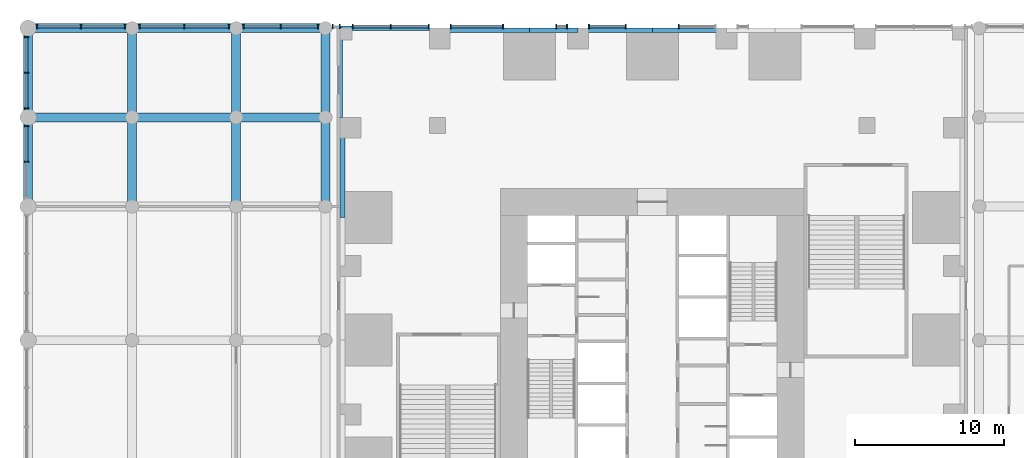
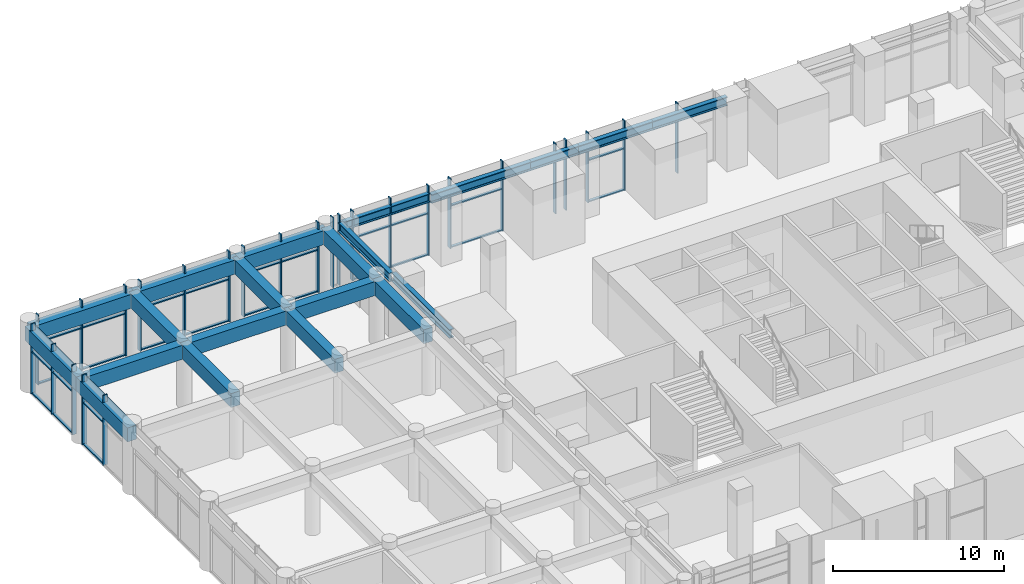
# One storey, part 5 of 23: 52 members, 21 beams, 11 elements without a shape of their own.
"""IFC4 building model written with IfcOpenShell, lengths in metres."""

import ifcopenshell
import ifcopenshell.guid

model = None  # the IFC model being written
_history = None  # IfcOwnerHistory: only IFC2X3 demands one
_inside = {}  # id of a spatial element -> (the spatial element, [elements in it])
_under = {}  # id of a project, library or spatial element -> (it, [spatial elements below it])
_declared = {}  # id of a project -> (the project, [libraries it declares])
_typed = {}  # id of a type object -> (the type object, [elements of that type])
_made_of = {}  # id of a material, layer set ... -> (it, [elements and type objects made of it])


def new_model(schema):
    """Start an empty IFC model of exactly this schema.

    Asked for "IFC4X3", IfcOpenShell would pick the latest addendum, in which some entities
    have other attributes; the version numbers below select the first issue.
    IFC2X3 requires an IfcOwnerHistory on every rooted entity: one is made here for all.
    """
    global model, _history
    if schema == "IFC4X3":
        model = ifcopenshell.file(schema_version=(4, 3, 0, 0))
    else:
        model = ifcopenshell.file(schema=schema)
    _inside.clear()
    _under.clear()
    _declared.clear()
    _typed.clear()
    _made_of.clear()
    _history = None
    if model.schema == "IFC2X3":
        org = make("IfcOrganization", Name="unknown")
        user = make(
            "IfcPersonAndOrganization",
            ThePerson=make("IfcPerson", FamilyName="unknown"),
            TheOrganization=org,
        )
        app = make(
            "IfcApplication",
            ApplicationDeveloper=org,
            Version="unknown",
            ApplicationFullName="unknown",
            ApplicationIdentifier="unknown",
        )
        _history = make(
            "IfcOwnerHistory",
            OwningUser=user,
            OwningApplication=app,
            ChangeAction="ADDED",
            CreationDate=0,
        )
    return model


def make(cls, **values):
    """One entity of the class cls with the attributes given. An attribute that is None is left unset."""
    return model.create_entity(
        cls, **{name: value for name, value in values.items() if value is not None}
    )


def rooted(cls, **values):
    """An entity with a GlobalId (a new one), such as an element, a storey or a relation."""
    return make(cls, GlobalId=ifcopenshell.guid.new(), OwnerHistory=_history, **values)


def si_unit(unit_type, name, prefix=None):
    """IfcSIUnit, for example si_unit("LENGTHUNIT", "METRE", prefix="MILLI")."""
    return make("IfcSIUnit", UnitType=unit_type, Prefix=prefix, Name=name)


def assignment(units):
    """IfcUnitAssignment: the units of a project."""
    return None if units is None else make("IfcUnitAssignment", Units=units)


def point(xyz):
    """IfcCartesianPoint."""
    return None if xyz is None else make("IfcCartesianPoint", Coordinates=xyz)


def direction(xyz):
    """IfcDirection."""
    return None if xyz is None else make("IfcDirection", DirectionRatios=xyz)


def frame(location, z_axis=None, x_axis=None):
    """IfcAxis2Placement3D, a coordinate frame: its origin and axes. An axis left out is left unset."""
    return make(
        "IfcAxis2Placement3D",
        Location=point(location),
        Axis=direction(z_axis),
        RefDirection=direction(x_axis),
    )


def frame_2d(location, x_axis=None):
    """IfcAxis2Placement2D, a coordinate frame in the plane: its origin and x axis."""
    return make(
        "IfcAxis2Placement2D", Location=point(location), RefDirection=direction(x_axis)
    )


def origin():
    """The frame at (0, 0, 0) with its axes left unset."""
    return frame((0.0, 0.0, 0.0))


def origin_2d():
    """The frame at (0, 0) in the plane with its x axis left unset."""
    return frame_2d((0.0, 0.0))


def place(relative_to, where):
    """IfcLocalPlacement: puts the frame where relative to a parent placement (None: the world)."""
    return make(
        "IfcLocalPlacement", PlacementRelTo=relative_to, RelativePlacement=where
    )


def context(
    kind, dimensions, precision=None, world=None, true_north=None, identifier=None
):
    """IfcGeometricRepresentationContext, for example the 3D "Model" context."""
    return make(
        "IfcGeometricRepresentationContext",
        ContextIdentifier=identifier,
        ContextType=kind,
        CoordinateSpaceDimension=dimensions,
        Precision=precision,
        WorldCoordinateSystem=world,
        TrueNorth=true_north,
    )


def subcontext(parent, identifier, kind, view, scale=None):
    """IfcGeometricRepresentationSubContext, for example "Body" below "Model"."""
    return make(
        "IfcGeometricRepresentationSubContext",
        ContextIdentifier=identifier,
        ContextType=kind,
        ParentContext=parent,
        TargetScale=scale,
        TargetView=view,
    )


def project(units=None, contexts=None):
    """IfcProject with its units and contexts."""
    return rooted(
        "IfcProject",
        Name="project",
        RepresentationContexts=contexts,
        UnitsInContext=assignment(units),
    )


def spatial(cls, under=None, at=None, **own):
    """A site, building, storey or space (cls), placed at a placement, below another one or the project."""
    s = rooted(cls, ObjectPlacement=at, **own)
    if under is not None:
        _under.setdefault(under.id(), (under, []))[1].append(s)
    return s


def profile(cls, at=None, kind="AREA", **sizes):
    """A parametric profile (cls). Its sizes go by their IFC names, for example OverallWidth=200.0."""
    return make(cls, ProfileType=kind, Position=at, **sizes)


def rectangle(**sizes):
    """IfcRectangleProfileDef."""
    return profile("IfcRectangleProfileDef", **sizes)


def i_section(**sizes):
    """IfcIShapeProfileDef."""
    return profile("IfcIShapeProfileDef", **sizes)


def extrude(swept, where, along, depth):
    """IfcExtrudedAreaSolid: the profile swept, set in the frame where, extruded along a direction by depth."""
    return make(
        "IfcExtrudedAreaSolid",
        SweptArea=swept,
        Position=where,
        ExtrudedDirection=direction(along),
        Depth=depth,
    )


def shape(context_of_items, identifier, shape_type, items):
    """IfcShapeRepresentation: the items that make up one representation, for example the "Body"."""
    return make(
        "IfcShapeRepresentation",
        ContextOfItems=context_of_items,
        RepresentationIdentifier=identifier,
        RepresentationType=shape_type,
        Items=items,
    )


def material(Name=None, Category=None):
    """IfcMaterial."""
    return make("IfcMaterial", Name=Name, Category=Category)


def material_profile(
    of_material, cross_section, Name=None, Category=None, Priority=None
):
    """IfcMaterialProfile: a cross section and its material."""
    return make(
        "IfcMaterialProfile",
        Name=Name,
        Material=of_material,
        Profile=cross_section,
        Priority=Priority,
        Category=Category,
    )


def profile_set(profiles, Name=None, composite=None):
    """IfcMaterialProfileSet."""
    return make(
        "IfcMaterialProfileSet",
        Name=Name,
        MaterialProfiles=profiles,
        CompositeProfile=composite,
    )


def made_of(thing, what):
    """Note that an element or type object is made of a material, layer set ...; save() writes the relation."""
    if what is not None:
        _made_of.setdefault(what.id(), (what, []))[1].append(thing)
    return thing


def type_object(cls, material=None, **own):
    """A type object (cls), such as IfcWallType, which elements share."""
    return made_of(rooted(cls, **own), material)


def element(
    cls,
    number,
    at=None,
    inside=None,
    cuts=None,
    type_object=None,
    material=None,
    context=None,
    identifier="Body",
    shape_type=None,
    held_by="IfcProductDefinitionShape",
    body=None,
    shapes=None,
    **own,
):
    """One element of the class cls, such as IfcWall. Its Tag is "e" and its number.

    at: its placement. inside: the storey or other place that contains it. cuts: it is an
    opening in that element (IfcRelVoidsElement). A single representation is given by context,
    identifier, shape_type and body (its items); several are given by shapes. held_by: the class
    of the entity that holds the representations. save() writes the other relations.
    """
    e = rooted(cls, Tag="e%d" % number, ObjectPlacement=at, **own)
    if body is not None:
        shapes = [shape(context, identifier, shape_type, body)]
    if shapes is not None:
        e.Representation = make(held_by, Representations=shapes)
    if inside is not None:
        _inside.setdefault(inside.id(), (inside, []))[1].append(e)
    if cuts is not None:
        rooted(
            "IfcRelVoidsElement", RelatingBuildingElement=cuts, RelatedOpeningElement=e
        )
    if type_object is not None:
        _typed.setdefault(type_object.id(), (type_object, []))[1].append(e)
    return made_of(e, material)


def aggregate(whole, parts):
    """IfcRelAggregates: a whole, such as a stair, and the parts it consists of."""
    return rooted("IfcRelAggregates", RelatingObject=whole, RelatedObjects=parts)


def save(model, path):
    """Write the relations noted so far, then the file.

    IfcRelAggregates (storeys below a building ...), IfcRelContainedInSpatialStructure (elements
    in a storey), IfcRelDefinesByType, IfcRelAssociatesMaterial and IfcRelDeclares: one each for
    every whole, place, type object, material and project.
    """
    for whole, parts in _under.values():
        aggregate(whole, parts)
    for where, things in _inside.values():
        rooted(
            "IfcRelContainedInSpatialStructure",
            RelatedElements=things,
            RelatingStructure=where,
        )
    for kind, things in _typed.values():
        rooted("IfcRelDefinesByType", RelatedObjects=things, RelatingType=kind)
    for what, things in _made_of.values():
        rooted("IfcRelAssociatesMaterial", RelatedObjects=things, RelatingMaterial=what)
    for by, libraries in _declared.values():
        rooted("IfcRelDeclares", RelatingContext=by, RelatedDefinitions=libraries)
    model.write(path)


model = new_model("IFC4")

# Units and contexts
model_context = context("Model", 3, precision=1e-05, world=origin(), true_north=direction((0.0, 1.0)))
body_context = subcontext(model_context, "Body", "Model", "MODEL_VIEW")
ifc_project = project(units=[si_unit("LENGTHUNIT", "METRE"), si_unit("AREAUNIT", "SQUARE_METRE"), si_unit("VOLUMEUNIT", "CUBIC_METRE"), si_unit("PLANEANGLEUNIT", "RADIAN"), si_unit("MASSUNIT", "GRAM", prefix="KILO")], contexts=[model_context])

# Site, building, storey
site_placement = place(None, origin())
site = spatial("IfcSite", under=ifc_project, at=site_placement, CompositionType="ELEMENT")
building_placement = place(site_placement, origin())
building = spatial("IfcBuilding", under=site, at=building_placement, Name="Svetlomir Tower", CompositionType="ELEMENT")
storey_placement = place(building_placement, frame((0.0, 0.0, 6.0)))
storey = spatial("IfcBuildingStorey", under=building, at=storey_placement, Name="L01", CompositionType="ELEMENT", Elevation=6.0)

# Curtain wall, member
ifc_material_1 = material(Name="Bronze anodised aluminium curtain wall", Category="aluminium")
curtain_wall_type = type_object("IfcCurtainWallType", Name="CURTAIN WALL CW5 PODIUM", PredefinedType="NOTDEFINED", material=ifc_material_1)
curtain_wall_1_placement = place(storey_placement, origin())
curtain_wall_1 = element("IfcCurtainWall", 1, at=curtain_wall_1_placement, inside=storey, type_object=curtain_wall_type, Name="Curtain wall CW5 L01", PredefinedType="NOTDEFINED")
ifc_material_2 = material(Name="Bronze anodised aluminium", Category="aluminium")
ifc_material_profile_1 = material_profile(ifc_material_2, rectangle(XDim=0.080078125, YDim=0.300048828125, at=origin_2d()), Name="AL 80x300")
ifc_profile_set_1 = profile_set([ifc_material_profile_1], Name="Bronze anodised aluminium 6063-T6")
member_type_1 = type_object("IfcMemberType", Name="CW5 MULLION 80x300", PredefinedType="MULLION", material=ifc_profile_set_1)
member_1_placement = place(storey_placement, frame((22.7900390625, 42.10009765625, 0.0), z_axis=(0.0, 0.0, 1.0), x_axis=(-1.0, 0.0, 0.0)))
member_1 = element("IfcMember", 2, at=member_1_placement, type_object=member_type_1, Name="CW5 mullion 2", PredefinedType="MULLION", context=body_context, shape_type="SweptSolid", body=[
    extrude(rectangle(XDim=0.080078125, YDim=0.300048828125, at=origin_2d()), origin(), (0.0, 0.0, 1.0), 5.0),
])
aggregate(curtain_wall_1, [member_1])

# Curtain wall, members
curtain_wall_2_placement = place(storey_placement, origin())
curtain_wall_2 = element("IfcCurtainWall", 3, at=curtain_wall_2_placement, inside=storey, type_object=curtain_wall_type, Name="Curtain wall CW5 L01", PredefinedType="NOTDEFINED")
member_2_placement = place(storey_placement, frame((19.2099609375, 42.10009765625, 0.0), z_axis=(0.0, 0.0, 1.0), x_axis=(-1.0, 0.0, 0.0)))
member_2 = element("IfcMember", 4, at=member_2_placement, type_object=member_type_1, Name="CW5 mullion 1", PredefinedType="MULLION", context=body_context, shape_type="SweptSolid", body=[
    extrude(rectangle(XDim=0.080078125, YDim=0.300048828125, at=origin_2d()), origin(), (0.0, 0.0, 1.0), 5.0),
])
member_3_placement = place(storey_placement, frame((16.739990234375, 42.10009765625, 0.0), z_axis=(0.0, 0.0, 1.0), x_axis=(-1.0, 0.0, 0.0)))
member_3 = element("IfcMember", 5, at=member_3_placement, type_object=member_type_1, Name="CW5 mullion 2", PredefinedType="MULLION", context=body_context, shape_type="SweptSolid", body=[
    extrude(rectangle(XDim=0.080078125, YDim=0.300048828125, at=origin_2d()), origin(), (0.0, 0.0, 1.0), 5.0),
])

curtain_wall_3_placement = place(storey_placement, origin())
curtain_wall_3 = element("IfcCurtainWall", 6, at=curtain_wall_3_placement, inside=storey, type_object=curtain_wall_type, Name="Curtain wall CW5 L01", PredefinedType="NOTDEFINED")
member_4_placement = place(storey_placement, frame((15.260009765625, 42.10009765625, 0.0), z_axis=(0.0, 0.0, 1.0), x_axis=(-1.0, 0.0, 0.0)))
member_4 = element("IfcMember", 7, at=member_4_placement, type_object=member_type_1, Name="CW5 mullion 1", PredefinedType="MULLION", context=body_context, shape_type="SweptSolid", body=[
    extrude(rectangle(XDim=0.080078125, YDim=0.300048828125, at=origin_2d()), origin(), (0.0, 0.0, 1.0), 5.0),
])
member_5_placement = place(storey_placement, frame((14.5400390625, 42.10009765625, 0.0), z_axis=(0.0, 0.0, 1.0), x_axis=(-1.0, 0.0, 0.0)))
member_5 = element("IfcMember", 8, at=member_5_placement, type_object=member_type_1, Name="CW5 mullion 2", PredefinedType="MULLION", context=body_context, shape_type="SweptSolid", body=[
    extrude(rectangle(XDim=0.080078125, YDim=0.300048828125, at=origin_2d()), origin(), (0.0, 0.0, 1.0), 5.0),
])
aggregate(curtain_wall_3, [member_4, member_5])

curtain_wall_4_placement = place(storey_placement, origin())
curtain_wall_4 = element("IfcCurtainWall", 9, at=curtain_wall_4_placement, inside=storey, type_object=curtain_wall_type, Name="Curtain wall CW5 L01", PredefinedType="NOTDEFINED")
member_6_placement = place(storey_placement, frame((10.9599609375, 42.10009765625, 0.0), z_axis=(0.0, 0.0, 1.0), x_axis=(-1.0, 0.0, 0.0)))
member_6 = element("IfcMember", 10, at=member_6_placement, type_object=member_type_1, Name="CW5 mullion 1", PredefinedType="MULLION", context=body_context, shape_type="SweptSolid", body=[
    extrude(rectangle(XDim=0.080078125, YDim=0.300048828125, at=origin_2d()), origin(), (0.0, 0.0, 1.0), 5.0),
])
member_7_placement = place(storey_placement, frame((7.43994140625, 42.10009765625, 0.0), z_axis=(0.0, 0.0, 1.0), x_axis=(-1.0, 0.0, 0.0)))
member_7 = element("IfcMember", 11, at=member_7_placement, type_object=member_type_1, Name="CW5 mullion 2", PredefinedType="MULLION", context=body_context, shape_type="SweptSolid", body=[
    extrude(rectangle(XDim=0.080078125, YDim=0.300048828125, at=origin_2d()), origin(), (0.0, 0.0, 1.0), 5.0),
])

curtain_wall_5_placement = place(storey_placement, origin())
curtain_wall_5 = element("IfcCurtainWall", 12, at=curtain_wall_5_placement, inside=storey, type_object=curtain_wall_type, Name="Curtain wall CW5 L01", PredefinedType="NOTDEFINED")
member_8_placement = place(storey_placement, frame((5.9599609375, 42.10009765625, 0.0), z_axis=(0.0, 0.0, 1.0), x_axis=(-1.0, 0.0, 0.0)))
member_8 = element("IfcMember", 13, at=member_8_placement, type_object=member_type_1, Name="CW5 mullion 1", PredefinedType="MULLION", context=body_context, shape_type="SweptSolid", body=[
    extrude(rectangle(XDim=0.080078125, YDim=0.300048828125, at=origin_2d()), origin(), (0.0, 0.0, 1.0), 5.0),
])
member_9_placement = place(storey_placement, frame((3.39990234375, 42.10009765625, 0.0), z_axis=(0.0, 0.0, 1.0), x_axis=(-1.0, 0.0, 0.0)))
member_9 = element("IfcMember", 14, at=member_9_placement, type_object=member_type_1, Name="CW5 mullion 2", PredefinedType="MULLION", context=body_context, shape_type="SweptSolid", body=[
    extrude(rectangle(XDim=0.080078125, YDim=0.300048828125, at=origin_2d()), origin(), (0.0, 0.0, 1.0), 5.0),
])
member_10_placement = place(storey_placement, frame((0.840087890625, 42.10009765625, 0.0), z_axis=(0.0, 0.0, 1.0), x_axis=(-1.0, 0.0, 0.0)))
member_10 = element("IfcMember", 15, at=member_10_placement, type_object=member_type_1, Name="CW5 mullion 3", PredefinedType="MULLION", context=body_context, shape_type="SweptSolid", body=[
    extrude(rectangle(XDim=0.080078125, YDim=0.300048828125, at=origin_2d()), origin(), (0.0, 0.0, 1.0), 5.0),
])

curtain_wall_6_placement = place(storey_placement, origin())
curtain_wall_6 = element("IfcCurtainWall", 16, at=curtain_wall_6_placement, inside=storey, type_object=curtain_wall_type, Name="Curtain wall CW5 L01", PredefinedType="NOTDEFINED")
member_11_placement = place(storey_placement, frame((-0.0400390625, 42.10009765625, 0.0), z_axis=(0.0, 0.0, 1.0), x_axis=(-1.0, 0.0, 0.0)))
member_11 = element("IfcMember", 17, at=member_11_placement, type_object=member_type_1, Name="CW5 mullion 1", PredefinedType="MULLION", context=body_context, shape_type="SweptSolid", body=[
    extrude(rectangle(XDim=0.080078125, YDim=0.300048828125, at=origin_2d()), origin(), (0.0, 0.0, 1.0), 5.0),
])
member_12_placement = place(storey_placement, frame((-0.510009765625, 42.10009765625, 0.0), z_axis=(0.0, 0.0, 1.0), x_axis=(-1.0, 0.0, 0.0)))
member_12 = element("IfcMember", 18, at=member_12_placement, type_object=member_type_1, Name="CW5 mullion 2", PredefinedType="MULLION", context=body_context, shape_type="SweptSolid", body=[
    extrude(rectangle(XDim=0.080078125, YDim=0.300048828125, at=origin_2d()), origin(), (0.0, 0.0, 1.0), 5.0),
])
aggregate(curtain_wall_6, [member_11, member_12])

curtain_wall_7_placement = place(storey_placement, origin())
curtain_wall_7 = element("IfcCurtainWall", 19, at=curtain_wall_7_placement, inside=storey, type_object=curtain_wall_type, Name="Curtain wall CW5 L01", PredefinedType="NOTDEFINED")
member_13_placement = place(storey_placement, frame((-1.489990234375, 42.10009765625, 0.0), z_axis=(0.0, 0.0, 1.0), x_axis=(-1.0, 0.0, 0.0)))
member_13 = element("IfcMember", 20, at=member_13_placement, type_object=member_type_1, Name="CW5 mullion 1", PredefinedType="MULLION", context=body_context, shape_type="SweptSolid", body=[
    extrude(rectangle(XDim=0.080078125, YDim=0.300048828125, at=origin_2d()), origin(), (0.0, 0.0, 1.0), 5.0),
])
member_14_placement = place(storey_placement, frame((-4.0, 42.10009765625, 0.0), z_axis=(0.0, 0.0, 1.0), x_axis=(-1.0, 0.0, 0.0)))
member_14 = element("IfcMember", 21, at=member_14_placement, type_object=member_type_1, Name="CW5 mullion 2", PredefinedType="MULLION", context=body_context, shape_type="SweptSolid", body=[
    extrude(rectangle(XDim=0.080078125, YDim=0.300048828125, at=origin_2d()), origin(), (0.0, 0.0, 1.0), 5.0),
])
member_15_placement = place(storey_placement, frame((-6.510009765625, 42.10009765625, 0.0), z_axis=(0.0, 0.0, 1.0), x_axis=(-1.0, 0.0, 0.0)))
member_15 = element("IfcMember", 22, at=member_15_placement, type_object=member_type_1, Name="CW5 mullion 3", PredefinedType="MULLION", context=body_context, shape_type="SweptSolid", body=[
    extrude(rectangle(XDim=0.080078125, YDim=0.300048828125, at=origin_2d()), origin(), (0.0, 0.0, 1.0), 5.0),
])

curtain_wall_8_placement = place(storey_placement, origin())
curtain_wall_8 = element("IfcCurtainWall", 23, at=curtain_wall_8_placement, inside=storey, type_object=curtain_wall_type, Name="Curtain wall CW5 L01", PredefinedType="NOTDEFINED")
member_16_placement = place(storey_placement, frame((-7.489990234375, 42.10009765625, 0.0), z_axis=(0.0, 0.0, 1.0), x_axis=(-1.0, 0.0, 0.0)))
member_16 = element("IfcMember", 24, at=member_16_placement, type_object=member_type_1, Name="CW5 mullion 1", PredefinedType="MULLION", context=body_context, shape_type="SweptSolid", body=[
    extrude(rectangle(XDim=0.080078125, YDim=0.300048828125, at=origin_2d()), origin(), (0.0, 0.0, 1.0), 5.0),
])
member_17_placement = place(storey_placement, frame((-10.5, 42.10009765625, 0.0), z_axis=(0.0, 0.0, 1.0), x_axis=(-1.0, 0.0, 0.0)))
member_17 = element("IfcMember", 25, at=member_17_placement, type_object=member_type_1, Name="CW5 mullion 2", PredefinedType="MULLION", context=body_context, shape_type="SweptSolid", body=[
    extrude(rectangle(XDim=0.080078125, YDim=0.300048828125, at=origin_2d()), origin(), (0.0, 0.0, 1.0), 5.0),
])
member_18_placement = place(storey_placement, frame((-13.510009765625, 42.10009765625, 0.0), z_axis=(0.0, 0.0, 1.0), x_axis=(-1.0, 0.0, 0.0)))
member_18 = element("IfcMember", 26, at=member_18_placement, type_object=member_type_1, Name="CW5 mullion 3", PredefinedType="MULLION", context=body_context, shape_type="SweptSolid", body=[
    extrude(rectangle(XDim=0.080078125, YDim=0.300048828125, at=origin_2d()), origin(), (0.0, 0.0, 1.0), 5.0),
])

curtain_wall_9_placement = place(storey_placement, origin())
curtain_wall_9 = element("IfcCurtainWall", 27, at=curtain_wall_9_placement, inside=storey, type_object=curtain_wall_type, Name="Curtain wall CW5 L01", PredefinedType="NOTDEFINED")
member_19_placement = place(storey_placement, frame((-14.489990234375, 42.10009765625, 0.0), z_axis=(0.0, 0.0, 1.0), x_axis=(-1.0, 0.0, 0.0)))
member_19 = element("IfcMember", 28, at=member_19_placement, type_object=member_type_1, Name="CW5 mullion 1", PredefinedType="MULLION", context=body_context, shape_type="SweptSolid", body=[
    extrude(rectangle(XDim=0.080078125, YDim=0.300048828125, at=origin_2d()), origin(), (0.0, 0.0, 1.0), 5.0),
])
member_20_placement = place(storey_placement, frame((-17.449951171875, 42.10009765625, 0.0), z_axis=(0.0, 0.0, 1.0), x_axis=(-1.0, 0.0, 0.0)))
member_20 = element("IfcMember", 29, at=member_20_placement, type_object=member_type_1, Name="CW5 mullion 2", PredefinedType="MULLION", context=body_context, shape_type="SweptSolid", body=[
    extrude(rectangle(XDim=0.080078125, YDim=0.300048828125, at=origin_2d()), origin(), (0.0, 0.0, 1.0), 5.0),
])
member_21_placement = place(storey_placement, frame((-20.409912109375, 42.10009765625, 0.0), z_axis=(0.0, 0.0, 1.0), x_axis=(-1.0, 0.0, 0.0)))
member_21 = element("IfcMember", 30, at=member_21_placement, type_object=member_type_1, Name="CW5 mullion 3", PredefinedType="MULLION", context=body_context, shape_type="SweptSolid", body=[
    extrude(rectangle(XDim=0.080078125, YDim=0.300048828125, at=origin_2d()), origin(), (0.0, 0.0, 1.0), 5.0),
])

curtain_wall_10_placement = place(storey_placement, origin())
curtain_wall_10 = element("IfcCurtainWall", 31, at=curtain_wall_10_placement, inside=storey, type_object=curtain_wall_type, Name="Curtain wall CW5 L01", PredefinedType="NOTDEFINED")
member_22_placement = place(storey_placement, frame((-21.10009765625, 41.409912109375, 0.0), z_axis=(0.0, 0.0, 1.0), x_axis=(0.0, -1.0, 0.0)))
member_22 = element("IfcMember", 32, at=member_22_placement, type_object=member_type_1, Name="CW5 mullion 1", PredefinedType="MULLION", context=body_context, shape_type="SweptSolid", body=[
    extrude(rectangle(XDim=0.080078125, YDim=0.300048828125, at=origin_2d()), origin(), (0.0, 0.0, 1.0), 5.0),
])
member_23_placement = place(storey_placement, frame((-21.10009765625, 39.0, 0.0), z_axis=(0.0, 0.0, 1.0), x_axis=(0.0, -1.0, 0.0)))
member_23 = element("IfcMember", 33, at=member_23_placement, type_object=member_type_1, Name="CW5 mullion 2", PredefinedType="MULLION", context=body_context, shape_type="SweptSolid", body=[
    extrude(rectangle(XDim=0.080078125, YDim=0.300048828125, at=origin_2d()), origin(), (0.0, 0.0, 1.0), 5.0),
])
member_24_placement = place(storey_placement, frame((-21.10009765625, 36.590087890625, 0.0), z_axis=(0.0, 0.0, 1.0), x_axis=(0.0, -1.0, 0.0)))
member_24 = element("IfcMember", 34, at=member_24_placement, type_object=member_type_1, Name="CW5 mullion 3", PredefinedType="MULLION", context=body_context, shape_type="SweptSolid", body=[
    extrude(rectangle(XDim=0.080078125, YDim=0.300048828125, at=origin_2d()), origin(), (0.0, 0.0, 1.0), 5.0),
])

curtain_wall_11_placement = place(storey_placement, origin())
curtain_wall_11 = element("IfcCurtainWall", 35, at=curtain_wall_11_placement, inside=storey, type_object=curtain_wall_type, Name="Curtain wall CW5 L01", PredefinedType="NOTDEFINED")
member_25_placement = place(storey_placement, frame((-21.10009765625, 35.409912109375, 0.0), z_axis=(0.0, 0.0, 1.0), x_axis=(0.0, -1.0, 0.0)))
member_25 = element("IfcMember", 36, at=member_25_placement, type_object=member_type_1, Name="CW5 mullion 1", PredefinedType="MULLION", context=body_context, shape_type="SweptSolid", body=[
    extrude(rectangle(XDim=0.080078125, YDim=0.300048828125, at=origin_2d()), origin(), (0.0, 0.0, 1.0), 5.0),
])
member_26_placement = place(storey_placement, frame((-21.10009765625, 33.0, 0.0), z_axis=(0.0, 0.0, 1.0), x_axis=(0.0, -1.0, 0.0)))
member_26 = element("IfcMember", 37, at=member_26_placement, type_object=member_type_1, Name="CW5 mullion 2", PredefinedType="MULLION", context=body_context, shape_type="SweptSolid", body=[
    extrude(rectangle(XDim=0.080078125, YDim=0.300048828125, at=origin_2d()), origin(), (0.0, 0.0, 1.0), 5.0),
])

# Member
ifc_material_3 = material(Name="Bronze anodised aluminium", Category="aluminium")
ifc_material_profile_2 = material_profile(ifc_material_3, rectangle(XDim=0.179931640625, YDim=0.080078125, at=origin_2d()), Name="AL 180x80")
ifc_profile_set_2 = profile_set([ifc_material_profile_2], Name="Bronze anodised aluminium 6063-T6")
member_type_2 = type_object("IfcMemberType", Name="CW5 TRANSOM 80x180", PredefinedType="USERDEFINED", material=ifc_profile_set_2)
member_27_placement = place(storey_placement, frame((19.169921875, 42.10009765625, 0.0400390625), z_axis=(-1.0, 0.0, 0.0), x_axis=(0.0, -1.0, 0.0)))
member_27 = element("IfcMember", 38, at=member_27_placement, type_object=member_type_2, Name="CW5 transom 1.1", ObjectType="TRANSOM", PredefinedType="USERDEFINED", context=body_context, shape_type="SweptSolid", body=[
    extrude(rectangle(XDim=0.179931640625, YDim=0.080078125, at=origin_2d()), origin(), (0.0, 0.0, 1.0), 2.389892578125),
])

member_28_placement = place(storey_placement, frame((19.169921875, 42.10009765625, 3.0), z_axis=(-1.0, 0.0, 0.0), x_axis=(0.0, -1.0, 0.0)))
member_28 = element("IfcMember", 39, at=member_28_placement, type_object=member_type_2, Name="CW5 transom 1.2", ObjectType="TRANSOM", PredefinedType="USERDEFINED", context=body_context, shape_type="SweptSolid", body=[
    extrude(rectangle(XDim=0.179931640625, YDim=0.080078125, at=origin_2d()), origin(), (0.0, 0.0, 1.0), 2.389892578125),
])

aggregate(curtain_wall_2, [member_2, member_3, member_27, member_28])

member_29_placement = place(storey_placement, frame((10.919921875, 42.10009765625, 0.0400390625), z_axis=(-1.0, 0.0, 0.0), x_axis=(0.0, -1.0, 0.0)))
member_29 = element("IfcMember", 40, at=member_29_placement, type_object=member_type_2, Name="CW5 transom 1.1", ObjectType="TRANSOM", PredefinedType="USERDEFINED", context=body_context, shape_type="SweptSolid", body=[
    extrude(rectangle(XDim=0.179931640625, YDim=0.080078125, at=origin_2d()), origin(), (0.0, 0.0, 1.0), 3.43994140625),
])

member_30_placement = place(storey_placement, frame((10.919921875, 42.10009765625, 3.0), z_axis=(-1.0, 0.0, 0.0), x_axis=(0.0, -1.0, 0.0)))
member_30 = element("IfcMember", 41, at=member_30_placement, type_object=member_type_2, Name="CW5 transom 1.2", ObjectType="TRANSOM", PredefinedType="USERDEFINED", context=body_context, shape_type="SweptSolid", body=[
    extrude(rectangle(XDim=0.179931640625, YDim=0.080078125, at=origin_2d()), origin(), (0.0, 0.0, 1.0), 3.43994140625),
])

aggregate(curtain_wall_4, [member_6, member_7, member_29, member_30])

member_31_placement = place(storey_placement, frame((5.919921875, 42.10009765625, 0.0400390625), z_axis=(-1.0, 0.0, 0.0), x_axis=(0.0, -1.0, 0.0)))
member_31 = element("IfcMember", 42, at=member_31_placement, type_object=member_type_2, Name="CW5 transom 1.1", ObjectType="TRANSOM", PredefinedType="USERDEFINED", context=body_context, shape_type="SweptSolid", body=[
    extrude(rectangle(XDim=0.179931640625, YDim=0.080078125, at=origin_2d()), origin(), (0.0, 0.0, 1.0), 2.47998046875),
])

member_32_placement = place(storey_placement, frame((5.919921875, 42.10009765625, 3.0), z_axis=(-1.0, 0.0, 0.0), x_axis=(0.0, -1.0, 0.0)))
member_32 = element("IfcMember", 43, at=member_32_placement, type_object=member_type_2, Name="CW5 transom 1.2", ObjectType="TRANSOM", PredefinedType="USERDEFINED", context=body_context, shape_type="SweptSolid", body=[
    extrude(rectangle(XDim=0.179931640625, YDim=0.080078125, at=origin_2d()), origin(), (0.0, 0.0, 1.0), 2.47998046875),
])

member_33_placement = place(storey_placement, frame((3.360107421875, 42.10009765625, 0.0400390625), z_axis=(-1.0, 0.0, 0.0), x_axis=(0.0, -1.0, 0.0)))
member_33 = element("IfcMember", 44, at=member_33_placement, type_object=member_type_2, Name="CW5 transom 2.1", ObjectType="TRANSOM", PredefinedType="USERDEFINED", context=body_context, shape_type="SweptSolid", body=[
    extrude(rectangle(XDim=0.179931640625, YDim=0.080078125, at=origin_2d()), origin(), (0.0, 0.0, 1.0), 2.480224609375),
])

member_34_placement = place(storey_placement, frame((3.360107421875, 42.10009765625, 3.0), z_axis=(-1.0, 0.0, 0.0), x_axis=(0.0, -1.0, 0.0)))
member_34 = element("IfcMember", 45, at=member_34_placement, type_object=member_type_2, Name="CW5 transom 2.2", ObjectType="TRANSOM", PredefinedType="USERDEFINED", context=body_context, shape_type="SweptSolid", body=[
    extrude(rectangle(XDim=0.179931640625, YDim=0.080078125, at=origin_2d()), origin(), (0.0, 0.0, 1.0), 2.480224609375),
])

aggregate(curtain_wall_5, [member_8, member_9, member_10, member_31, member_32, member_33, member_34])

member_35_placement = place(storey_placement, frame((-1.530029296875, 42.10009765625, 0.0400390625), z_axis=(-1.0, 0.0, 0.0), x_axis=(0.0, -1.0, 0.0)))
member_35 = element("IfcMember", 46, at=member_35_placement, type_object=member_type_2, Name="CW5 transom 1.1", ObjectType="TRANSOM", PredefinedType="USERDEFINED", context=body_context, shape_type="SweptSolid", body=[
    extrude(rectangle(XDim=0.179931640625, YDim=0.080078125, at=origin_2d()), origin(), (0.0, 0.0, 1.0), 2.429931640625),
])

member_36_placement = place(storey_placement, frame((-1.530029296875, 42.10009765625, 3.0), z_axis=(-1.0, 0.0, 0.0), x_axis=(0.0, -1.0, 0.0)))
member_36 = element("IfcMember", 47, at=member_36_placement, type_object=member_type_2, Name="CW5 transom 1.2", ObjectType="TRANSOM", PredefinedType="USERDEFINED", context=body_context, shape_type="SweptSolid", body=[
    extrude(rectangle(XDim=0.179931640625, YDim=0.080078125, at=origin_2d()), origin(), (0.0, 0.0, 1.0), 2.429931640625),
])

member_37_placement = place(storey_placement, frame((-4.0400390625, 42.10009765625, 0.0400390625), z_axis=(-1.0, 0.0, 0.0), x_axis=(0.0, -1.0, 0.0)))
member_37 = element("IfcMember", 48, at=member_37_placement, type_object=member_type_2, Name="CW5 transom 2.1", ObjectType="TRANSOM", PredefinedType="USERDEFINED", context=body_context, shape_type="SweptSolid", body=[
    extrude(rectangle(XDim=0.179931640625, YDim=0.080078125, at=origin_2d()), origin(), (0.0, 0.0, 1.0), 2.429931640625),
])

member_38_placement = place(storey_placement, frame((-4.0400390625, 42.10009765625, 3.0), z_axis=(-1.0, 0.0, 0.0), x_axis=(0.0, -1.0, 0.0)))
member_38 = element("IfcMember", 49, at=member_38_placement, type_object=member_type_2, Name="CW5 transom 2.2", ObjectType="TRANSOM", PredefinedType="USERDEFINED", context=body_context, shape_type="SweptSolid", body=[
    extrude(rectangle(XDim=0.179931640625, YDim=0.080078125, at=origin_2d()), origin(), (0.0, 0.0, 1.0), 2.429931640625),
])

aggregate(curtain_wall_7, [member_13, member_14, member_15, member_35, member_36, member_37, member_38])

member_39_placement = place(storey_placement, frame((-7.530029296875, 42.10009765625, 0.0400390625), z_axis=(-1.0, 0.0, 0.0), x_axis=(0.0, -1.0, 0.0)))
member_39 = element("IfcMember", 50, at=member_39_placement, type_object=member_type_2, Name="CW5 transom 1.1", ObjectType="TRANSOM", PredefinedType="USERDEFINED", context=body_context, shape_type="SweptSolid", body=[
    extrude(rectangle(XDim=0.179931640625, YDim=0.080078125, at=origin_2d()), origin(), (0.0, 0.0, 1.0), 2.929931640625),
])

member_40_placement = place(storey_placement, frame((-7.530029296875, 42.10009765625, 3.0), z_axis=(-1.0, 0.0, 0.0), x_axis=(0.0, -1.0, 0.0)))
member_40 = element("IfcMember", 51, at=member_40_placement, type_object=member_type_2, Name="CW5 transom 1.2", ObjectType="TRANSOM", PredefinedType="USERDEFINED", context=body_context, shape_type="SweptSolid", body=[
    extrude(rectangle(XDim=0.179931640625, YDim=0.080078125, at=origin_2d()), origin(), (0.0, 0.0, 1.0), 2.929931640625),
])

member_41_placement = place(storey_placement, frame((-10.5400390625, 42.10009765625, 0.0400390625), z_axis=(-1.0, 0.0, 0.0), x_axis=(0.0, -1.0, 0.0)))
member_41 = element("IfcMember", 52, at=member_41_placement, type_object=member_type_2, Name="CW5 transom 2.1", ObjectType="TRANSOM", PredefinedType="USERDEFINED", context=body_context, shape_type="SweptSolid", body=[
    extrude(rectangle(XDim=0.179931640625, YDim=0.080078125, at=origin_2d()), origin(), (0.0, 0.0, 1.0), 2.929931640625),
])

member_42_placement = place(storey_placement, frame((-10.5400390625, 42.10009765625, 3.0), z_axis=(-1.0, 0.0, 0.0), x_axis=(0.0, -1.0, 0.0)))
member_42 = element("IfcMember", 53, at=member_42_placement, type_object=member_type_2, Name="CW5 transom 2.2", ObjectType="TRANSOM", PredefinedType="USERDEFINED", context=body_context, shape_type="SweptSolid", body=[
    extrude(rectangle(XDim=0.179931640625, YDim=0.080078125, at=origin_2d()), origin(), (0.0, 0.0, 1.0), 2.929931640625),
])

aggregate(curtain_wall_8, [member_16, member_17, member_18, member_39, member_40, member_41, member_42])

member_43_placement = place(storey_placement, frame((-14.530029296875, 42.10009765625, 0.0400390625), z_axis=(-1.0, 0.0, 0.0), x_axis=(0.0, -1.0, 0.0)))
member_43 = element("IfcMember", 54, at=member_43_placement, type_object=member_type_2, Name="CW5 transom 1.1", ObjectType="TRANSOM", PredefinedType="USERDEFINED", context=body_context, shape_type="SweptSolid", body=[
    extrude(rectangle(XDim=0.179931640625, YDim=0.080078125, at=origin_2d()), origin(), (0.0, 0.0, 1.0), 2.8798828125),
])

member_44_placement = place(storey_placement, frame((-14.530029296875, 42.10009765625, 3.0), z_axis=(-1.0, 0.0, 0.0), x_axis=(0.0, -1.0, 0.0)))
member_44 = element("IfcMember", 55, at=member_44_placement, type_object=member_type_2, Name="CW5 transom 1.2", ObjectType="TRANSOM", PredefinedType="USERDEFINED", context=body_context, shape_type="SweptSolid", body=[
    extrude(rectangle(XDim=0.179931640625, YDim=0.080078125, at=origin_2d()), origin(), (0.0, 0.0, 1.0), 2.8798828125),
])

member_45_placement = place(storey_placement, frame((-17.489990234375, 42.10009765625, 0.0400390625), z_axis=(-1.0, 0.0, 0.0), x_axis=(0.0, -1.0, 0.0)))
member_45 = element("IfcMember", 56, at=member_45_placement, type_object=member_type_2, Name="CW5 transom 2.1", ObjectType="TRANSOM", PredefinedType="USERDEFINED", context=body_context, shape_type="SweptSolid", body=[
    extrude(rectangle(XDim=0.179931640625, YDim=0.080078125, at=origin_2d()), origin(), (0.0, 0.0, 1.0), 2.880126953125),
])

member_46_placement = place(storey_placement, frame((-17.489990234375, 42.10009765625, 3.0), z_axis=(-1.0, 0.0, 0.0), x_axis=(0.0, -1.0, 0.0)))
member_46 = element("IfcMember", 57, at=member_46_placement, type_object=member_type_2, Name="CW5 transom 2.2", ObjectType="TRANSOM", PredefinedType="USERDEFINED", context=body_context, shape_type="SweptSolid", body=[
    extrude(rectangle(XDim=0.179931640625, YDim=0.080078125, at=origin_2d()), origin(), (0.0, 0.0, 1.0), 2.880126953125),
])

aggregate(curtain_wall_9, [member_19, member_20, member_21, member_43, member_44, member_45, member_46])

member_47_placement = place(storey_placement, frame((-21.10009765625, 41.3701171875, 0.0400390625), z_axis=(0.0, -1.0, 0.0), x_axis=(1.0, 0.0, 0.0)))
member_47 = element("IfcMember", 58, at=member_47_placement, type_object=member_type_2, Name="CW5 transom 1.1", ObjectType="TRANSOM", PredefinedType="USERDEFINED", context=body_context, shape_type="SweptSolid", body=[
    extrude(rectangle(XDim=0.179931640625, YDim=0.080078125, at=origin_2d()), origin(), (0.0, 0.0, 1.0), 2.330078125),
])

member_48_placement = place(storey_placement, frame((-21.10009765625, 41.3701171875, 3.0), z_axis=(0.0, -1.0, 0.0), x_axis=(1.0, 0.0, 0.0)))
member_48 = element("IfcMember", 59, at=member_48_placement, type_object=member_type_2, Name="CW5 transom 1.2", ObjectType="TRANSOM", PredefinedType="USERDEFINED", context=body_context, shape_type="SweptSolid", body=[
    extrude(rectangle(XDim=0.179931640625, YDim=0.080078125, at=origin_2d()), origin(), (0.0, 0.0, 1.0), 2.330078125),
])

member_49_placement = place(storey_placement, frame((-21.10009765625, 38.9599609375, 0.0400390625), z_axis=(0.0, -1.0, 0.0), x_axis=(1.0, 0.0, 0.0)))
member_49 = element("IfcMember", 60, at=member_49_placement, type_object=member_type_2, Name="CW5 transom 2.1", ObjectType="TRANSOM", PredefinedType="USERDEFINED", context=body_context, shape_type="SweptSolid", body=[
    extrude(rectangle(XDim=0.179931640625, YDim=0.080078125, at=origin_2d()), origin(), (0.0, 0.0, 1.0), 2.330078125),
])

member_50_placement = place(storey_placement, frame((-21.10009765625, 38.9599609375, 3.0), z_axis=(0.0, -1.0, 0.0), x_axis=(1.0, 0.0, 0.0)))
member_50 = element("IfcMember", 61, at=member_50_placement, type_object=member_type_2, Name="CW5 transom 2.2", ObjectType="TRANSOM", PredefinedType="USERDEFINED", context=body_context, shape_type="SweptSolid", body=[
    extrude(rectangle(XDim=0.179931640625, YDim=0.080078125, at=origin_2d()), origin(), (0.0, 0.0, 1.0), 2.330078125),
])

aggregate(curtain_wall_10, [member_22, member_23, member_24, member_47, member_48, member_49, member_50])

member_51_placement = place(storey_placement, frame((-21.10009765625, 35.3701171875, 0.0400390625), z_axis=(0.0, -1.0, 0.0), x_axis=(1.0, 0.0, 0.0)))
member_51 = element("IfcMember", 62, at=member_51_placement, type_object=member_type_2, Name="CW5 transom 1.1", ObjectType="TRANSOM", PredefinedType="USERDEFINED", context=body_context, shape_type="SweptSolid", body=[
    extrude(rectangle(XDim=0.179931640625, YDim=0.080078125, at=origin_2d()), origin(), (0.0, 0.0, 1.0), 2.330078125),
])

member_52_placement = place(storey_placement, frame((-21.10009765625, 35.3701171875, 3.0), z_axis=(0.0, -1.0, 0.0), x_axis=(1.0, 0.0, 0.0)))
member_52 = element("IfcMember", 63, at=member_52_placement, type_object=member_type_2, Name="CW5 transom 1.2", ObjectType="TRANSOM", PredefinedType="USERDEFINED", context=body_context, shape_type="SweptSolid", body=[
    extrude(rectangle(XDim=0.179931640625, YDim=0.080078125, at=origin_2d()), origin(), (0.0, 0.0, 1.0), 2.330078125),
])

aggregate(curtain_wall_11, [member_25, member_26, member_51, member_52])

# Beams
ifc_material_4 = material(Name="Concrete C60/75", Category="concrete")
ifc_material_profile_3 = material_profile(ifc_material_4, rectangle(XDim=0.60009765625, YDim=1.0, at=origin_2d()), Name="RC 600x1000")
ifc_profile_set_3 = profile_set([ifc_material_profile_3], Name="Concrete C60/75")
beam_type_1 = type_object("IfcBeamType", Name="PODIUM BEAM RC 600x1000", PredefinedType="BEAM", material=ifc_profile_set_3)
for number, where, z_axis, x_axis, name in (
    (64, (-21.0, 30.0, 4.0), (0.0, 1.0, 0.0), (-1.0, 0.0, 0.0), "Podium beam -21/30 to -21/36 under L02"),
    (65, (-21.0, 36.0, 4.0), (0.0, 1.0, 0.0), (-1.0, 0.0, 0.0), "Podium beam -21/36 to -21/42 under L02"),
):
    element("IfcBeam", number, at=place(storey_placement, frame(where, z_axis=z_axis, x_axis=x_axis)), inside=storey, type_object=beam_type_1, Name=name, PredefinedType="BEAM", context=body_context, shape_type="SweptSolid", body=[
        extrude(rectangle(XDim=0.60009765625, YDim=1.0, at=origin_2d()), origin(), (0.0, 0.0, 1.0), 6.0),
    ])
for number, where, z_axis, x_axis, name in (
    (66, (-21.0, 36.0, 4.0), (1.0, 0.0, 0.0), (0.0, 1.0, 0.0), "Podium beam -21/36 to -14/36 under L02"),
    (67, (-21.0, 42.0, 4.0), (1.0, 0.0, 0.0), (0.0, 1.0, 0.0), "Podium beam -21/42 to -14/42 under L02"),
):
    element("IfcBeam", number, at=place(storey_placement, frame(where, z_axis=z_axis, x_axis=x_axis)), inside=storey, type_object=beam_type_1, Name=name, PredefinedType="BEAM", context=body_context, shape_type="SweptSolid", body=[
        extrude(rectangle(XDim=0.60009765625, YDim=1.0, at=origin_2d()), origin(), (0.0, 0.0, 1.0), 7.0),
    ])
for number, where, z_axis, x_axis, name in (
    (68, (-14.0, 30.0, 4.0), (0.0, 1.0, 0.0), (-1.0, 0.0, 0.0), "Podium beam -14/30 to -14/36 under L02"),
    (69, (-14.0, 36.0, 4.0), (0.0, 1.0, 0.0), (-1.0, 0.0, 0.0), "Podium beam -14/36 to -14/42 under L02"),
):
    element("IfcBeam", number, at=place(storey_placement, frame(where, z_axis=z_axis, x_axis=x_axis)), inside=storey, type_object=beam_type_1, Name=name, PredefinedType="BEAM", context=body_context, shape_type="SweptSolid", body=[
        extrude(rectangle(XDim=0.60009765625, YDim=1.0, at=origin_2d()), origin(), (0.0, 0.0, 1.0), 6.0),
    ])
for number, where, z_axis, x_axis, name in (
    (70, (-14.0, 36.0, 4.0), (1.0, 0.0, 0.0), (0.0, 1.0, 0.0), "Podium beam -14/36 to -7/36 under L02"),
    (71, (-14.0, 42.0, 4.0), (1.0, 0.0, 0.0), (0.0, 1.0, 0.0), "Podium beam -14/42 to -7/42 under L02"),
):
    element("IfcBeam", number, at=place(storey_placement, frame(where, z_axis=z_axis, x_axis=x_axis)), inside=storey, type_object=beam_type_1, Name=name, PredefinedType="BEAM", context=body_context, shape_type="SweptSolid", body=[
        extrude(rectangle(XDim=0.60009765625, YDim=1.0, at=origin_2d()), origin(), (0.0, 0.0, 1.0), 7.0),
    ])
for number, where, z_axis, x_axis, name in (
    (72, (-7.0, 30.0, 4.0), (0.0, 1.0, 0.0), (-1.0, 0.0, 0.0), "Podium beam -7/30 to -7/36 under L02"),
    (73, (-7.0, 36.0, 4.0), (0.0, 1.0, 0.0), (-1.0, 0.0, 0.0), "Podium beam -7/36 to -7/42 under L02"),
    (74, (-7.0, 36.0, 4.0), (1.0, 0.0, 0.0), (0.0, 1.0, 0.0), "Podium beam -7/36 to -1/36 under L02"),
    (75, (-7.0, 42.0, 4.0), (1.0, 0.0, 0.0), (0.0, 1.0, 0.0), "Podium beam -7/42 to -1/42 under L02"),
    (76, (-1.0, 30.0, 4.0), (0.0, 1.0, 0.0), (-1.0, 0.0, 0.0), "Podium beam -1/30 to -1/36 under L02"),
    (77, (-1.0, 36.0, 4.0), (0.0, 1.0, 0.0), (-1.0, 0.0, 0.0), "Podium beam -1/36 to -1/42 under L02"),
):
    element("IfcBeam", number, at=place(storey_placement, frame(where, z_axis=z_axis, x_axis=x_axis)), inside=storey, type_object=beam_type_1, Name=name, PredefinedType="BEAM", context=body_context, shape_type="SweptSolid", body=[
        extrude(rectangle(XDim=0.60009765625, YDim=1.0, at=origin_2d()), origin(), (0.0, 0.0, 1.0), 6.0),
    ])
ifc_material_5 = material(Name="Steel S355", Category="steel")
ifc_material_profile_4 = material_profile(ifc_material_5, i_section(OverallWidth=0.304931640625, OverallDepth=0.6201171875, WebThickness=0.02099609375, FlangeThickness=0.0400390625, FilletRadius=0.027099609375, at=origin_2d()), Name="HEM 600")
ifc_profile_set_4 = profile_set([ifc_material_profile_4], Name="Steel S355")
beam_type_2 = type_object("IfcBeamType", Name="PODIUM EDGE BEAM HEM 600", PredefinedType="BEAM", material=ifc_profile_set_4)
beam_1_placement = place(storey_placement, frame((0.152587890625, 29.25, 4.18994140625), z_axis=(0.0, 1.0, 0.0), x_axis=(-1.0, 0.0, 0.0)))
element("IfcBeam", 78, at=beam_1_placement, inside=storey, type_object=beam_type_2, Name="Podium beam 0/31 to 0/36 under L02", PredefinedType="BEAM", context=body_context, shape_type="SweptSolid", body=[
    extrude(i_section(OverallWidth=0.304931640625, OverallDepth=0.6201171875, WebThickness=0.02099609375, FlangeThickness=0.0400390625, FilletRadius=0.027099609375, at=origin_2d()), origin(), (0.0, 0.0, 1.0), 6.75),
])
for number, where, z_axis, x_axis, name in (
    (79, (0.0, 36.0, 4.18994140625), (0.0, 1.0, 0.0), (-1.0, 0.0, 0.0), "Podium beam 0/36 to 0/42 under L02"),
    (80, (0.0, 42.0, 4.18994140625), (1.0, 0.0, 0.0), (0.0, 1.0, 0.0), "Podium beam 0/42 to 6/42 under L02"),
):
    element("IfcBeam", number, at=place(storey_placement, frame(where, z_axis=z_axis, x_axis=x_axis)), inside=storey, type_object=beam_type_2, Name=name, PredefinedType="BEAM", context=body_context, shape_type="SweptSolid", body=[
        extrude(i_section(OverallWidth=0.304931640625, OverallDepth=0.6201171875, WebThickness=0.02099609375, FlangeThickness=0.0400390625, FilletRadius=0.027099609375, at=origin_2d()), origin(), (0.0, 0.0, 1.0), 6.0),
    ])
beam_2_placement = place(storey_placement, frame((6.0, 41.847412109375, 4.18994140625), z_axis=(1.0, 0.0, 0.0), x_axis=(0.0, 1.0, 0.0)))
element("IfcBeam", 81, at=beam_2_placement, inside=storey, type_object=beam_type_2, Name="Podium beam 6/42 to 11/42 under L02", PredefinedType="BEAM", context=body_context, shape_type="SweptSolid", body=[
    extrude(i_section(OverallWidth=0.304931640625, OverallDepth=0.6201171875, WebThickness=0.02099609375, FlangeThickness=0.0400390625, FilletRadius=0.027099609375, at=origin_2d()), origin(), (0.0, 0.0, 1.0), 6.75),
])
beam_3_placement = place(storey_placement, frame((12.75, 41.847412109375, 4.18994140625), z_axis=(1.0, 0.0, 0.0), x_axis=(0.0, 1.0, 0.0)))
element("IfcBeam", 82, at=beam_3_placement, inside=storey, type_object=beam_type_2, Name="Podium beam 11/42 to 16/42 under L02", PredefinedType="BEAM", context=body_context, shape_type="SweptSolid", body=[
    extrude(i_section(OverallWidth=0.304931640625, OverallDepth=0.6201171875, WebThickness=0.02099609375, FlangeThickness=0.0400390625, FilletRadius=0.027099609375, at=origin_2d()), origin(), (0.0, 0.0, 1.0), 3.25),
])
for number, where, z_axis, x_axis, name in (
    (83, (16.0, 41.847412109375, 4.18994140625), (1.0, 0.0, 0.0), (0.0, 1.0, 0.0), "Podium beam 16/42 to 21/42 under L02"),
    (84, (21.0, 41.847412109375, 4.18994140625), (1.0, 0.0, 0.0), (0.0, 1.0, 0.0), "Podium beam 21/42 to 26/42 under L02"),
):
    element("IfcBeam", number, at=place(storey_placement, frame(where, z_axis=z_axis, x_axis=x_axis)), inside=storey, type_object=beam_type_2, Name=name, PredefinedType="BEAM", context=body_context, shape_type="SweptSolid", body=[
        extrude(i_section(OverallWidth=0.304931640625, OverallDepth=0.6201171875, WebThickness=0.02099609375, FlangeThickness=0.0400390625, FilletRadius=0.027099609375, at=origin_2d()), origin(), (0.0, 0.0, 1.0), 5.0),
    ])

save(model, "model.ifc")
